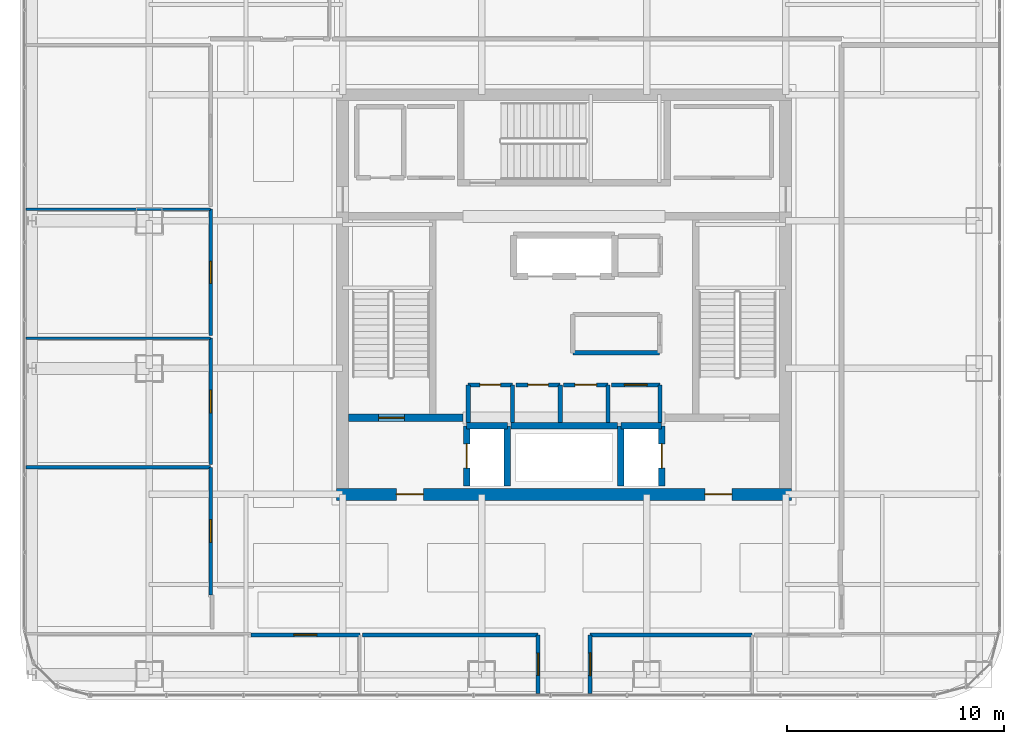
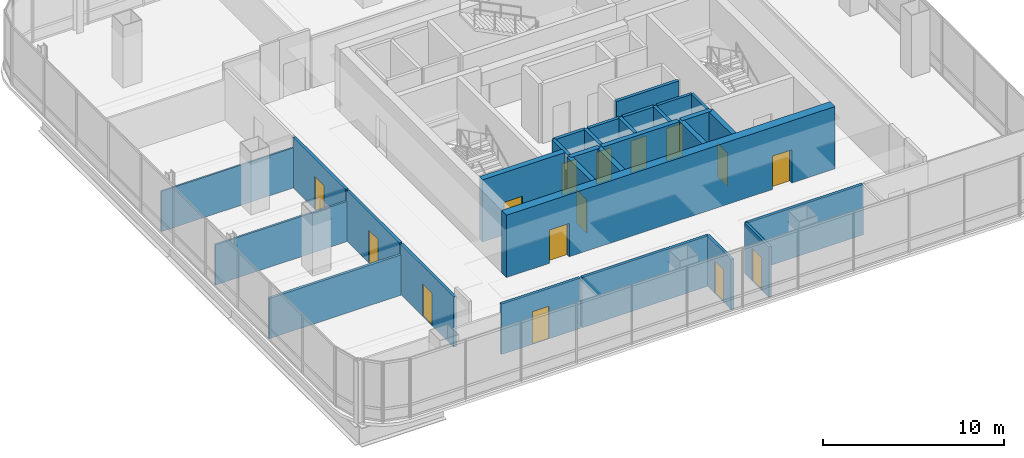
# One storey, part 34 of 42: 30 walls, 15 doors, 15 openings.
"""IFC4 building model written with IfcOpenShell, lengths in metres."""

from ifc_helpers import new_model, si_unit, direction, frame, frame_2d, origin, place, context, subcontext, project, spatial, rectangle, extrude, material, layer, layer_set, type_object, element, fill, save


model = new_model("IFC4")

# Units and contexts
model_context = context("Model", 3, precision=1e-05, world=origin(), true_north=direction((0.0, 1.0)))
body_context = subcontext(model_context, "Body", "Model", "MODEL_VIEW")
ifc_project = project(units=[si_unit("LENGTHUNIT", "METRE"), si_unit("AREAUNIT", "SQUARE_METRE"), si_unit("VOLUMEUNIT", "CUBIC_METRE"), si_unit("PLANEANGLEUNIT", "RADIAN"), si_unit("MASSUNIT", "GRAM", prefix="KILO")], contexts=[model_context])

# Site, building, storey
site_placement = place(None, origin())
site = spatial("IfcSite", under=ifc_project, at=site_placement, CompositionType="ELEMENT")
building_placement = place(site_placement, origin())
building = spatial("IfcBuilding", under=site, at=building_placement, Name="Punatoya Terracotta Tower", CompositionType="ELEMENT")
storey_placement = place(building_placement, frame((0.0, 0.0, 296.39990234375)))
storey = spatial("IfcBuildingStorey", under=building, at=storey_placement, Name="L70", CompositionType="ELEMENT", Elevation=296.39990234375)

# Wall, openings, doors
ifc_material_1 = material(Name="Concrete C50/60", Category="concrete")
ifc_layer_1 = layer(ifc_material_1, 0.550048828125)
ifc_layer_set_1 = layer_set([ifc_layer_1], Name="Concrete C50/60")
wall_type_1 = type_object("IfcWallType", Name="WL-COR-550", PredefinedType="SHEAR", material=ifc_layer_set_1)
wall_1_placement = place(storey_placement, frame((10.47509765625, -9.199951171875, 0.0), z_axis=(0.0, 0.0, 1.0), x_axis=(-1.0, 0.0, 0.0)))
wall_1 = element("IfcWall", 1, at=wall_1_placement, inside=storey, type_object=wall_type_1, Name="L70 Core Shear Wall S", PredefinedType="SHEAR", context=body_context, shape_type="SweptSolid", body=[
    extrude(rectangle(XDim=20.9501953125, YDim=0.550048828125, at=frame_2d((10.47509765625, 0.0))), origin(), (0.0, 0.0, 1.0), 4.2001953125),
])
opening_1_placement = place(wall_1_placement, frame((2.75, 0.0, 0.0)))
opening_1 = element("IfcOpeningElement", 2, at=opening_1_placement, cuts=wall_1, Name="Opening FD-L1", PredefinedType="OPENING", context=body_context, shape_type="SweptSolid", body=[
    extrude(rectangle(XDim=1.25, YDim=2.25, at=frame_2d((0.625, 1.125))), frame((0.0, 0.284912109375, 0.0), z_axis=(0.0, -1.0, 0.0), x_axis=(1.0, 0.0, 0.0)), (0.0, 0.0, 1.0), 0.570068359375),
])
opening_2_placement = place(wall_1_placement, frame((16.949951171875, 0.0, 0.0)))
opening_2 = element("IfcOpeningElement", 3, at=opening_2_placement, cuts=wall_1, Name="Opening FD-L1", PredefinedType="OPENING", context=body_context, shape_type="SweptSolid", body=[
    extrude(rectangle(XDim=1.25, YDim=2.25, at=frame_2d((0.625, 1.125))), frame((0.0, 0.284912109375, 0.0), z_axis=(0.0, -1.0, 0.0), x_axis=(1.0, 0.0, 0.0)), (0.0, 0.0, 1.0), 0.570068359375),
])
ifc_material_2 = material(Name="Galvanised Steel Smokeproof Fire Door", Category="steel")
door_type_1 = type_object("IfcDoorType", Name="DR-FFL-1250", OperationType="NOTDEFINED", PredefinedType="DOOR", material=ifc_material_2)
door_1_placement = place(opening_1_placement, origin())
door_1 = element("IfcDoor", 4, at=door_1_placement, inside=storey, type_object=door_type_1, Name="L70 East Firefighting Lobby Corridor Fire Door", OperationType="SINGLE_SWING_LEFT", OverallHeight=2.25, OverallWidth=1.25, PredefinedType="DOOR", context=body_context, shape_type="SweptSolid", body=[
    extrude(rectangle(XDim=1.25, YDim=2.25, at=frame_2d((0.625, 1.125))), frame((0.0, 0.02490234375, 0.0), z_axis=(0.0, -1.0, 0.0), x_axis=(1.0, 0.0, 0.0)), (0.0, 0.0, 1.0), 0.050048828125),
])
fill(opening_1, door_1)
door_2_placement = place(opening_2_placement, origin())
door_2 = element("IfcDoor", 5, at=door_2_placement, inside=storey, type_object=door_type_1, Name="L70 West Firefighting Lobby Corridor Fire Door", OperationType="SINGLE_SWING_RIGHT", OverallHeight=2.25, OverallWidth=1.25, PredefinedType="DOOR", context=body_context, shape_type="SweptSolid", body=[
    extrude(rectangle(XDim=1.25, YDim=2.25, at=frame_2d((0.625, 1.125))), frame((0.0, 0.02490234375, 0.0), z_axis=(0.0, -1.0, 0.0), x_axis=(1.0, 0.0, 0.0)), (0.0, 0.0, 1.0), 0.050048828125),
])
fill(opening_2, door_2)

# Wall
ifc_material_3 = material(Name="Gypsum Fireboard + Steel Stud", Category="steel")
ifc_layer_2 = layer(ifc_material_3, 0.179931640625)
ifc_layer_set_2 = layer_set([ifc_layer_2], Name="Gypsum Fireboard + Steel Stud")
wall_type_2 = type_object("IfcWallType", Name="WL-CORR-180", PredefinedType="PARTITIONING", material=ifc_layer_set_2)
wall_2_placement = place(storey_placement, frame((4.419921875, -5.89990234375, 0.0), z_axis=(0.0, 0.0, 1.0), x_axis=(0.0, 1.0, 0.0)))
element("IfcWall", 6, at=wall_2_placement, inside=storey, type_object=wall_type_2, Name="L70 Core Reprographics Studio Partition 08", PredefinedType="PARTITIONING", context=body_context, shape_type="SweptSolid", body=[
    extrude(rectangle(XDim=1.739990234375, YDim=0.179931640625, at=frame_2d((0.8701171875, 0.0))), origin(), (0.0, 0.0, 1.0), 4.0),
])

# Wall, opening, door
wall_3_placement = place(storey_placement, frame((4.419921875, -4.159912109375, 0.0), z_axis=(0.0, 0.0, 1.0), x_axis=(-1.0, 0.0, 0.0)))
wall_3 = element("IfcWall", 7, at=wall_3_placement, inside=storey, type_object=wall_type_2, Name="L70 Core Reprographics Studio Partition 09", PredefinedType="PARTITIONING", context=body_context, shape_type="SweptSolid", body=[
    extrude(rectangle(XDim=2.239990234375, YDim=0.179931640625, at=frame_2d((1.1201171875, 0.0))), origin(), (0.0, 0.0, 1.0), 4.0),
])
opening_3_placement = place(wall_3_placement, frame((0.594970703125, 0.0, 0.0)))
opening_3 = element("IfcOpeningElement", 8, at=opening_3_placement, cuts=wall_3, Name="Opening OD-01", PredefinedType="OPENING", context=body_context, shape_type="SweptSolid", body=[
    extrude(rectangle(XDim=1.050048828125, YDim=2.199951171875, at=frame_2d((0.52490234375, 1.10009765625))), frame((0.0, 0.099853515625, 0.0), z_axis=(0.0, -1.0, 0.0), x_axis=(1.0, 0.0, 0.0)), (0.0, 0.0, 1.0), 0.199951171875),
])
ifc_material_4 = material(Name="Bengal Teak Solid-Core Leaf")
door_type_2 = type_object("IfcDoorType", Name="DR-OFF-1050", OperationType="NOTDEFINED", PredefinedType="DOOR", material=ifc_material_4)
door_3_placement = place(opening_3_placement, origin())
door_3 = element("IfcDoor", 9, at=door_3_placement, inside=storey, type_object=door_type_2, Name="L70 Reprographics Studio Door", OperationType="SINGLE_SWING_LEFT", OverallHeight=2.199951171875, OverallWidth=1.050048828125, PredefinedType="DOOR", context=body_context, shape_type="SweptSolid", body=[
    extrude(rectangle(XDim=1.050048828125, YDim=2.199951171875, at=frame_2d((0.52490234375, 1.10009765625))), frame((0.0, 0.02490234375, 0.0), z_axis=(0.0, -1.0, 0.0), x_axis=(1.0, 0.0, 0.0)), (0.0, 0.0, 1.0), 0.050048828125),
])
fill(opening_3, door_3)

wall_4_placement = place(storey_placement, frame((-14.419921875, -15.669921875, 0.0), z_axis=(0.0, 0.0, 1.0), x_axis=(1.0, 0.0, 0.0)))
wall_4 = element("IfcWall", 10, at=wall_4_placement, inside=storey, type_object=wall_type_2, Name="L70 Open-Plan Client Media Salon Partition 27", PredefinedType="PARTITIONING", context=body_context, shape_type="SweptSolid", body=[
    extrude(rectangle(XDim=5.014892578125, YDim=0.179931640625, at=frame_2d((2.50732421875, 0.0))), origin(), (0.0, 0.0, 1.0), 3.39404296875),
])
opening_4_placement = place(wall_4_placement, frame((1.982421875, 0.0, 0.0)))
opening_4 = element("IfcOpeningElement", 11, at=opening_4_placement, cuts=wall_4, Name="Opening OD-01", PredefinedType="OPENING", context=body_context, shape_type="SweptSolid", body=[
    extrude(rectangle(XDim=1.050048828125, YDim=2.199951171875, at=frame_2d((0.52490234375, 1.10009765625))), frame((0.0, 0.099853515625, 0.0), z_axis=(0.0, -1.0, 0.0), x_axis=(1.0, 0.0, 0.0)), (0.0, 0.0, 1.0), 0.199951171875),
])
door_4_placement = place(opening_4_placement, origin())
door_4 = element("IfcDoor", 12, at=door_4_placement, inside=storey, type_object=door_type_2, Name="L70 Open-Plan Client Media Salon Door", OperationType="SINGLE_SWING_LEFT", OverallHeight=2.199951171875, OverallWidth=1.050048828125, PredefinedType="DOOR", context=body_context, shape_type="SweptSolid", body=[
    extrude(rectangle(XDim=1.050048828125, YDim=2.199951171875, at=frame_2d((0.52490234375, 1.10009765625))), frame((0.0, 0.02490234375, 0.0), z_axis=(0.0, -1.0, 0.0), x_axis=(1.0, 0.0, 0.0)), (0.0, 0.0, 1.0), 0.050048828125),
])
fill(opening_4, door_4)

wall_5_placement = place(storey_placement, frame((-1.199951171875, -15.669921875, 0.0), z_axis=(0.0, 0.0, 1.0), x_axis=(0.0, -1.0, 0.0)))
wall_5 = element("IfcWall", 13, at=wall_5_placement, inside=storey, type_object=wall_type_2, Name="L70 Open-Plan Media Broadcast Studio Partition 29", PredefinedType="PARTITIONING", context=body_context, shape_type="SweptSolid", body=[
    extrude(rectangle(XDim=2.7001953125, YDim=0.179931640625, at=frame_2d((1.35009765625, 0.0))), origin(), (0.0, 0.0, 1.0), 3.39404296875),
])
opening_5_placement = place(wall_5_placement, frame((0.840087890625, 0.0, 0.0)))
opening_5 = element("IfcOpeningElement", 14, at=opening_5_placement, cuts=wall_5, Name="Opening MD-01", PredefinedType="OPENING", context=body_context, shape_type="SweptSolid", body=[
    extrude(rectangle(XDim=1.02001953125, YDim=2.199951171875, at=frame_2d((0.510009765625, 1.10009765625))), frame((0.0, 0.099853515625, 0.0), z_axis=(0.0, -1.0, 0.0), x_axis=(1.0, 0.0, 0.0)), (0.0, 0.0, 1.0), 0.199951171875),
])
ifc_material_5 = material(Name="Aluminium + Acoustic Glass Leaf", Category="aluminium")
door_type_3 = type_object("IfcDoorType", Name="DR-MTG-1020", OperationType="NOTDEFINED", PredefinedType="DOOR", material=ifc_material_5)
door_5_placement = place(opening_5_placement, origin())
door_5 = element("IfcDoor", 15, at=door_5_placement, inside=storey, type_object=door_type_3, Name="L70 Open-Plan Media Broadcast Studio Door", OperationType="SINGLE_SWING_RIGHT", OverallHeight=2.199951171875, OverallWidth=1.02001953125, PredefinedType="DOOR", context=body_context, shape_type="SweptSolid", body=[
    extrude(rectangle(XDim=1.02001953125, YDim=2.199951171875, at=frame_2d((0.510009765625, 1.10009765625))), frame((0.0, 0.02490234375, 0.0), z_axis=(0.0, -1.0, 0.0), x_axis=(1.0, 0.0, 0.0)), (0.0, 0.0, 1.0), 0.050048828125),
])
fill(opening_5, door_5)

# Wall
wall_6_placement = place(storey_placement, frame((-9.284912109375, -15.669921875, 0.0), z_axis=(0.0, 0.0, 1.0), x_axis=(1.0, 0.0, 0.0)))
element("IfcWall", 16, at=wall_6_placement, inside=storey, type_object=wall_type_2, Name="L70 Open-Plan Media Broadcast Studio Partition 30", PredefinedType="PARTITIONING", context=body_context, shape_type="SweptSolid", body=[
    extrude(rectangle(XDim=8.0849609375, YDim=0.179931640625, at=frame_2d((4.04248046875, 0.0))), origin(), (0.0, 0.0, 1.0), 3.39404296875),
])

# Wall, opening, door
wall_7_placement = place(storey_placement, frame((1.199951171875, -18.3701171875, 0.0), z_axis=(0.0, 0.0, 1.0), x_axis=(0.0, 1.0, 0.0)))
wall_7 = element("IfcWall", 17, at=wall_7_placement, inside=storey, type_object=wall_type_2, Name="L70 Open-Plan Graphic Design Workplace Partition 31", PredefinedType="PARTITIONING", context=body_context, shape_type="SweptSolid", body=[
    extrude(rectangle(XDim=2.7001953125, YDim=0.179931640625, at=frame_2d((1.35009765625, 0.0))), origin(), (0.0, 0.0, 1.0), 3.39404296875),
])
opening_6_placement = place(wall_7_placement, frame((0.824951171875, 0.0, 0.0)))
opening_6 = element("IfcOpeningElement", 18, at=opening_6_placement, cuts=wall_7, Name="Opening OD-01", PredefinedType="OPENING", context=body_context, shape_type="SweptSolid", body=[
    extrude(rectangle(XDim=1.050048828125, YDim=2.199951171875, at=frame_2d((0.52490234375, 1.10009765625))), frame((0.0, 0.099853515625, 0.0), z_axis=(0.0, -1.0, 0.0), x_axis=(1.0, 0.0, 0.0)), (0.0, 0.0, 1.0), 0.199951171875),
])
door_6_placement = place(opening_6_placement, origin())
door_6 = element("IfcDoor", 19, at=door_6_placement, inside=storey, type_object=door_type_2, Name="L70 Open-Plan Graphic Design Workplace Door", OperationType="SINGLE_SWING_LEFT", OverallHeight=2.199951171875, OverallWidth=1.050048828125, PredefinedType="DOOR", context=body_context, shape_type="SweptSolid", body=[
    extrude(rectangle(XDim=1.050048828125, YDim=2.199951171875, at=frame_2d((0.52490234375, 1.10009765625))), frame((0.0, 0.02490234375, 0.0), z_axis=(0.0, -1.0, 0.0), x_axis=(1.0, 0.0, 0.0)), (0.0, 0.0, 1.0), 0.050048828125),
])
fill(opening_6, door_6)

# Wall
wall_8_placement = place(storey_placement, frame((1.199951171875, -15.669921875, 0.0), z_axis=(0.0, 0.0, 1.0), x_axis=(1.0, 0.0, 0.0)))
element("IfcWall", 20, at=wall_8_placement, inside=storey, type_object=wall_type_2, Name="L70 Open-Plan Graphic Design Workplace Partition 32", PredefinedType="PARTITIONING", context=body_context, shape_type="SweptSolid", body=[
    extrude(rectangle(XDim=7.4521484375, YDim=0.179931640625, at=frame_2d((3.72607421875, 0.0))), origin(), (0.0, 0.0, 1.0), 3.39404296875),
])

# Wall, opening, door
wall_9_placement = place(storey_placement, frame((-16.27001953125, -7.949951171875, 0.0), z_axis=(0.0, 0.0, 1.0), x_axis=(0.0, -1.0, 0.0)))
wall_9 = element("IfcWall", 21, at=wall_9_placement, inside=storey, type_object=wall_type_2, Name="L70 Hospitality Tea Pantry Partition 37", PredefinedType="PARTITIONING", context=body_context, shape_type="SweptSolid", body=[
    extrude(rectangle(XDim=5.8701171875, YDim=0.179931640625, at=frame_2d((2.93505859375, 0.0))), origin(), (0.0, 0.0, 1.0), 3.39404296875),
])
opening_7_placement = place(wall_9_placement, frame((2.409912109375, 0.0, 0.0)))
opening_7 = element("IfcOpeningElement", 22, at=opening_7_placement, cuts=wall_9, Name="Opening OD-01", PredefinedType="OPENING", context=body_context, shape_type="SweptSolid", body=[
    extrude(rectangle(XDim=1.050048828125, YDim=2.199951171875, at=frame_2d((0.52490234375, 1.10009765625))), frame((0.0, 0.099853515625, 0.0), z_axis=(0.0, -1.0, 0.0), x_axis=(1.0, 0.0, 0.0)), (0.0, 0.0, 1.0), 0.199951171875),
])
door_7_placement = place(opening_7_placement, origin())
door_7 = element("IfcDoor", 23, at=door_7_placement, inside=storey, type_object=door_type_2, Name="L70 Hospitality Tea Pantry Door", OperationType="SINGLE_SWING_LEFT", OverallHeight=2.199951171875, OverallWidth=1.050048828125, PredefinedType="DOOR", context=body_context, shape_type="SweptSolid", body=[
    extrude(rectangle(XDim=1.050048828125, YDim=2.199951171875, at=frame_2d((0.52490234375, 1.10009765625))), frame((0.0, 0.02490234375, 0.0), z_axis=(0.0, -1.0, 0.0), x_axis=(1.0, 0.0, 0.0)), (0.0, 0.0, 1.0), 0.050048828125),
])
fill(opening_7, door_7)

wall_10_placement = place(storey_placement, frame((-16.27001953125, -2.010009765625, 0.0), z_axis=(0.0, 0.0, 1.0), x_axis=(0.0, -1.0, 0.0)))
wall_10 = element("IfcWall", 24, at=wall_10_placement, inside=storey, type_object=wall_type_2, Name="L70 Open-Plan Acoustic Wellness Room Partition 40", PredefinedType="PARTITIONING", context=body_context, shape_type="SweptSolid", body=[
    extrude(rectangle(XDim=5.820068359375, YDim=0.179931640625, at=frame_2d((2.91015625, 0.0))), origin(), (0.0, 0.0, 1.0), 3.39404296875),
])
opening_8_placement = place(wall_10_placement, frame((2.385009765625, 0.0, 0.0)))
opening_8 = element("IfcOpeningElement", 25, at=opening_8_placement, cuts=wall_10, Name="Opening OD-01", PredefinedType="OPENING", context=body_context, shape_type="SweptSolid", body=[
    extrude(rectangle(XDim=1.050048828125, YDim=2.199951171875, at=frame_2d((0.52490234375, 1.10009765625))), frame((0.0, 0.099853515625, 0.0), z_axis=(0.0, -1.0, 0.0), x_axis=(1.0, 0.0, 0.0)), (0.0, 0.0, 1.0), 0.199951171875),
])
door_8_placement = place(opening_8_placement, origin())
door_8 = element("IfcDoor", 26, at=door_8_placement, inside=storey, type_object=door_type_2, Name="L70 Open-Plan Acoustic Wellness Room Door", OperationType="SINGLE_SWING_RIGHT", OverallHeight=2.199951171875, OverallWidth=1.050048828125, PredefinedType="DOOR", context=body_context, shape_type="SweptSolid", body=[
    extrude(rectangle(XDim=1.050048828125, YDim=2.199951171875, at=frame_2d((0.52490234375, 1.10009765625))), frame((0.0, 0.02490234375, 0.0), z_axis=(0.0, -1.0, 0.0), x_axis=(1.0, 0.0, 0.0)), (0.0, 0.0, 1.0), 0.050048828125),
])
fill(opening_8, door_8)

wall_11_placement = place(storey_placement, frame((-16.27001953125, 3.929931640625, 0.0), z_axis=(0.0, 0.0, 1.0), x_axis=(0.0, -1.0, 0.0)))
wall_11 = element("IfcWall", 27, at=wall_11_placement, inside=storey, type_object=wall_type_2, Name="L70 Open-Plan Editorial Conference Room Partition 46", PredefinedType="PARTITIONING", context=body_context, shape_type="SweptSolid", body=[
    extrude(rectangle(XDim=5.81982421875, YDim=0.179931640625, at=frame_2d((2.909912109375, 0.0))), origin(), (0.0, 0.0, 1.0), 3.39404296875),
])
opening_9_placement = place(wall_11_placement, frame((2.39990234375, 0.0, 0.0)))
opening_9 = element("IfcOpeningElement", 28, at=opening_9_placement, cuts=wall_11, Name="Opening MD-01", PredefinedType="OPENING", context=body_context, shape_type="SweptSolid", body=[
    extrude(rectangle(XDim=1.02001953125, YDim=2.199951171875, at=frame_2d((0.510009765625, 1.10009765625))), frame((0.0, 0.099853515625, 0.0), z_axis=(0.0, -1.0, 0.0), x_axis=(1.0, 0.0, 0.0)), (0.0, 0.0, 1.0), 0.199951171875),
])
door_9_placement = place(opening_9_placement, origin())
door_9 = element("IfcDoor", 29, at=door_9_placement, inside=storey, type_object=door_type_3, Name="L70 Open-Plan Editorial Conference Room Door", OperationType="SINGLE_SWING_RIGHT", OverallHeight=2.199951171875, OverallWidth=1.02001953125, PredefinedType="DOOR", context=body_context, shape_type="SweptSolid", body=[
    extrude(rectangle(XDim=1.02001953125, YDim=2.199951171875, at=frame_2d((0.510009765625, 1.10009765625))), frame((0.0, 0.02490234375, 0.0), z_axis=(0.0, -1.0, 0.0), x_axis=(1.0, 0.0, 0.0)), (0.0, 0.0, 1.0), 0.050048828125),
])
fill(opening_9, door_9)

# Walls
ifc_material_6 = material(Name="Aluminium Framed Acoustic Glass Partition", Category="aluminium")
ifc_layer_3 = layer(ifc_material_6, 0.10009765625)
ifc_layer_set_3 = layer_set([ifc_layer_3], Name="Aluminium Framed Acoustic Glass Partition")
wall_type_3 = type_object("IfcWallType", Name="WL-GLZ-100", PredefinedType="PARTITIONING", material=ifc_layer_set_3)
wall_12_placement = place(storey_placement, frame((-24.77001953125, 3.929931640625, 0.0), z_axis=(0.0, 0.0, 1.0), x_axis=(1.0, 0.0, 0.0)))
element("IfcWall", 30, at=wall_12_placement, inside=storey, type_object=wall_type_3, Name="L70 Open-Plan Editorial Conference Room Partition 45", PredefinedType="PARTITIONING", context=body_context, shape_type="SweptSolid", body=[
    extrude(rectangle(XDim=8.5, YDim=0.10009765625, at=frame_2d((4.25, 0.0))), origin(), (0.0, 0.0, 1.0), 2.714111328125),
])
ifc_material_7 = material(Name="Concrete C40/50", Category="concrete")
ifc_layer_4 = layer(ifc_material_7, 0.199951171875)
ifc_layer_set_4 = layer_set([ifc_layer_4], Name="Concrete C40/50")
wall_type_4 = type_object("IfcWallType", Name="WL-INT-200", PredefinedType="SOLIDWALL", material=ifc_layer_set_4)
wall_13_placement = place(storey_placement, frame((-2.3798828125, -5.89990234375, 0.0), z_axis=(0.0, 0.0, 1.0), x_axis=(0.0, 1.0, 0.0)))
element("IfcWall", 31, at=wall_13_placement, inside=storey, type_object=wall_type_4, Name="L70 Male Washroom Partition 01", PredefinedType="SOLIDWALL", context=body_context, shape_type="SweptSolid", body=[
    extrude(rectangle(XDim=1.739990234375, YDim=0.199951171875, at=frame_2d((0.8701171875, 0.0))), origin(), (0.0, 0.0, 1.0), 4.0),
])

# Wall, opening, door
wall_14_placement = place(storey_placement, frame((-2.3798828125, -4.159912109375, 0.0), z_axis=(0.0, 0.0, 1.0), x_axis=(-1.0, 0.0, 0.0)))
wall_14 = element("IfcWall", 32, at=wall_14_placement, inside=storey, type_object=wall_type_4, Name="L70 Male Washroom Partition 02", PredefinedType="SOLIDWALL", context=body_context, shape_type="SweptSolid", body=[
    extrude(rectangle(XDim=2.0400390625, YDim=0.199951171875, at=frame_2d((1.02001953125, 0.0))), origin(), (0.0, 0.0, 1.0), 4.0),
])
opening_10_placement = place(wall_14_placement, frame((0.544921875, 0.0, 0.0)))
opening_10 = element("IfcOpeningElement", 33, at=opening_10_placement, cuts=wall_14, Name="Opening WD-01", PredefinedType="OPENING", context=body_context, shape_type="SweptSolid", body=[
    extrude(rectangle(XDim=0.949951171875, YDim=2.14990234375, at=frame_2d((0.47509765625, 1.074951171875))), frame((0.0, 0.10986328125, 0.0), z_axis=(0.0, -1.0, 0.0), x_axis=(1.0, 0.0, 0.0)), (0.0, 0.0, 1.0), 0.219970703125),
])
ifc_material_8 = material(Name="Moisture-Resistant Laminate Timber Leaf", Category="wood")
door_type_4 = type_object("IfcDoorType", Name="DR-WC-950", OperationType="NOTDEFINED", PredefinedType="DOOR", material=ifc_material_8)
door_10_placement = place(opening_10_placement, origin())
door_10 = element("IfcDoor", 34, at=door_10_placement, inside=storey, type_object=door_type_4, Name="L70 Male Washroom Door", OperationType="SINGLE_SWING_RIGHT", OverallHeight=2.14990234375, OverallWidth=0.949951171875, PredefinedType="DOOR", context=body_context, shape_type="SweptSolid", body=[
    extrude(rectangle(XDim=0.949951171875, YDim=2.14990234375, at=frame_2d((0.47509765625, 1.074951171875))), frame((0.0, 0.02490234375, 0.0), z_axis=(0.0, -1.0, 0.0), x_axis=(1.0, 0.0, 0.0)), (0.0, 0.0, 1.0), 0.050048828125),
])
fill(opening_10, door_10)

# Walls
for number, where, z_axis, x_axis, name in (
    (35, (-4.419921875, -4.159912109375, 0.0), (0.0, 0.0, 1.0), (0.0, -1.0, 0.0), "L70 Male Washroom Partition 03"),
    (36, (-0.179931640625, -5.89990234375, 0.0), (0.0, 0.0, 1.0), (0.0, 1.0, 0.0), "L70 Female Washroom Partition 04"),
):
    element("IfcWall", number, at=place(storey_placement, frame(where, z_axis=z_axis, x_axis=x_axis)), inside=storey, type_object=wall_type_4, Name=name, PredefinedType="SOLIDWALL", context=body_context, shape_type="SweptSolid", body=[
        extrude(rectangle(XDim=1.739990234375, YDim=0.199951171875, at=frame_2d((0.8701171875, 0.0))), origin(), (0.0, 0.0, 1.0), 4.0),
    ])

# Wall, opening, door
wall_15_placement = place(storey_placement, frame((-0.179931640625, -4.159912109375, 0.0), z_axis=(0.0, 0.0, 1.0), x_axis=(-1.0, 0.0, 0.0)))
wall_15 = element("IfcWall", 37, at=wall_15_placement, inside=storey, type_object=wall_type_4, Name="L70 Female Washroom Partition 05", PredefinedType="SOLIDWALL", context=body_context, shape_type="SweptSolid", body=[
    extrude(rectangle(XDim=2.0400390625, YDim=0.199951171875, at=frame_2d((1.02001953125, 0.0))), origin(), (0.0, 0.0, 1.0), 4.0),
])
opening_11_placement = place(wall_15_placement, frame((0.544921875, 0.0, 0.0)))
opening_11 = element("IfcOpeningElement", 38, at=opening_11_placement, cuts=wall_15, Name="Opening WD-01", PredefinedType="OPENING", context=body_context, shape_type="SweptSolid", body=[
    extrude(rectangle(XDim=0.949951171875, YDim=2.14990234375, at=frame_2d((0.47509765625, 1.074951171875))), frame((0.0, 0.10986328125, 0.0), z_axis=(0.0, -1.0, 0.0), x_axis=(1.0, 0.0, 0.0)), (0.0, 0.0, 1.0), 0.219970703125),
])
door_11_placement = place(opening_11_placement, origin())
door_11 = element("IfcDoor", 39, at=door_11_placement, inside=storey, type_object=door_type_4, Name="L70 Female Washroom Door", OperationType="SINGLE_SWING_LEFT", OverallHeight=2.14990234375, OverallWidth=0.949951171875, PredefinedType="DOOR", context=body_context, shape_type="SweptSolid", body=[
    extrude(rectangle(XDim=0.949951171875, YDim=2.14990234375, at=frame_2d((0.47509765625, 1.074951171875))), frame((0.0, 0.02490234375, 0.0), z_axis=(0.0, -1.0, 0.0), x_axis=(1.0, 0.0, 0.0)), (0.0, 0.0, 1.0), 0.050048828125),
])
fill(opening_11, door_11)

# Wall
wall_16_placement = place(storey_placement, frame((2.02001953125, -5.89990234375, 0.0), z_axis=(0.0, 0.0, 1.0), x_axis=(0.0, 1.0, 0.0)))
element("IfcWall", 40, at=wall_16_placement, inside=storey, type_object=wall_type_4, Name="L70 Accessible Universal Washroom Partition 06", PredefinedType="SOLIDWALL", context=body_context, shape_type="SweptSolid", body=[
    extrude(rectangle(XDim=1.739990234375, YDim=0.199951171875, at=frame_2d((0.8701171875, 0.0))), origin(), (0.0, 0.0, 1.0), 4.0),
])

# Wall, opening, door
wall_17_placement = place(storey_placement, frame((2.02001953125, -4.159912109375, 0.0), z_axis=(0.0, 0.0, 1.0), x_axis=(-1.0, 0.0, 0.0)))
wall_17 = element("IfcWall", 41, at=wall_17_placement, inside=storey, type_object=wall_type_4, Name="L70 Accessible Universal Washroom Partition 07", PredefinedType="SOLIDWALL", context=body_context, shape_type="SweptSolid", body=[
    extrude(rectangle(XDim=2.0400390625, YDim=0.199951171875, at=frame_2d((1.02001953125, 0.0))), origin(), (0.0, 0.0, 1.0), 4.0),
])
opening_12_placement = place(wall_17_placement, frame((0.52001953125, 0.0, 0.0)))
opening_12 = element("IfcOpeningElement", 42, at=opening_12_placement, cuts=wall_17, Name="Opening AWD-1", PredefinedType="OPENING", context=body_context, shape_type="SweptSolid", body=[
    extrude(rectangle(XDim=1.0, YDim=2.14990234375, at=frame_2d((0.5, 1.074951171875))), frame((0.0, 0.10986328125, 0.0), z_axis=(0.0, -1.0, 0.0), x_axis=(1.0, 0.0, 0.0)), (0.0, 0.0, 1.0), 0.219970703125),
])
ifc_material_9 = material(Name="Bengal Teak Accessible WC Leaf")
door_type_5 = type_object("IfcDoorType", Name="DR-ACC-1000", OperationType="NOTDEFINED", PredefinedType="DOOR", material=ifc_material_9)
door_12_placement = place(opening_12_placement, origin())
door_12 = element("IfcDoor", 43, at=door_12_placement, inside=storey, type_object=door_type_5, Name="L70 Accessible Universal Washroom Door", OperationType="SINGLE_SWING_RIGHT", OverallHeight=2.14990234375, OverallWidth=1.0, PredefinedType="DOOR", context=body_context, shape_type="SweptSolid", body=[
    extrude(rectangle(XDim=1.0, YDim=2.14990234375, at=frame_2d((0.5, 1.074951171875))), frame((0.0, 0.02490234375, 0.0), z_axis=(0.0, -1.0, 0.0), x_axis=(1.0, 0.0, 0.0)), (0.0, 0.0, 1.0), 0.050048828125),
])
fill(opening_12, door_12)

# Walls
wall_18_placement = place(storey_placement, frame((0.39990234375, -2.679931640625, 0.0), z_axis=(0.0, 0.0, 1.0), x_axis=(1.0, 0.0, 0.0)))
element("IfcWall", 44, at=wall_18_placement, inside=storey, type_object=wall_type_4, Name="L70 East Core Tea Pantry Partition 13", PredefinedType="SOLIDWALL", context=body_context, shape_type="SweptSolid", body=[
    extrude(rectangle(XDim=4.0, YDim=0.199951171875, at=frame_2d((2.0, 0.0))), origin(), (0.0, 0.0, 1.0), 4.0),
])
ifc_material_10 = material(Name="Gypsum Partition + Steel Stud", Category="steel")
ifc_layer_5 = layer(ifc_material_10, 0.1201171875)
ifc_layer_set_5 = layer_set([ifc_layer_5], Name="Gypsum Partition + Steel Stud")
wall_type_5 = type_object("IfcWallType", Name="WL-OFF-120", PredefinedType="PARTITIONING", material=ifc_layer_set_5)
wall_19_placement = place(storey_placement, frame((-24.77001953125, -2.010009765625, 0.0), z_axis=(0.0, 0.0, 1.0), x_axis=(1.0, 0.0, 0.0)))
element("IfcWall", 45, at=wall_19_placement, inside=storey, type_object=wall_type_5, Name="L70 Open-Plan Acoustic Wellness Room Partition 39", PredefinedType="PARTITIONING", context=body_context, shape_type="SweptSolid", body=[
    extrude(rectangle(XDim=8.5, YDim=0.1201171875, at=frame_2d((4.25, 0.0))), origin(), (0.0, 0.0, 1.0), 2.714111328125),
])

# Wall, opening, door
ifc_layer_6 = layer(ifc_material_7, 0.300048828125)
ifc_layer_set_6 = layer_set([ifc_layer_6], Name="Concrete C40/50")
wall_type_6 = type_object("IfcWallType", Name="WL-SHF-300", PredefinedType="SOLIDWALL", material=ifc_layer_set_6)
wall_20_placement = place(storey_placement, frame((-4.489990234375, -8.820068359375, 0.0), z_axis=(0.0, 0.0, 1.0), x_axis=(0.0, 1.0, 0.0)))
wall_20 = element("IfcWall", 46, at=wall_20_placement, inside=storey, type_object=wall_type_6, Name="L70 FFL-1 Front Hoistway Wall", PredefinedType="SOLIDWALL", context=body_context, shape_type="SweptSolid", body=[
    extrude(rectangle(XDim=2.77001953125, YDim=0.300048828125, at=frame_2d((1.385009765625, 0.0))), origin(), (0.0, 0.0, 1.0), 4.0),
])
opening_13_placement = place(wall_20_placement, frame((0.824951171875, 0.0, 0.0)))
opening_13 = element("IfcOpeningElement", 47, at=opening_13_placement, cuts=wall_20, Name="Opening LD-02", PredefinedType="OPENING", context=body_context, shape_type="SweptSolid", body=[
    extrude(rectangle(XDim=1.1201171875, YDim=2.25, at=frame_2d((0.56005859375, 1.125))), frame((0.0, 0.159912109375, 0.0), z_axis=(0.0, -1.0, 0.0), x_axis=(1.0, 0.0, 0.0)), (0.0, 0.0, 1.0), 0.320068359375),
])
ifc_material_11 = material(Name="Stainless Steel Lift Landing Door", Category="steel")
door_type_6 = type_object("IfcDoorType", Name="DR-LND-1120", OperationType="NOTDEFINED", PredefinedType="DOOR", material=ifc_material_11)
door_13_placement = place(opening_13_placement, origin())
door_13 = element("IfcDoor", 48, at=door_13_placement, inside=storey, type_object=door_type_6, Name="L70 Firefighting Lift FFL-1 Sliding Landing Door", OperationType="SLIDING_TO_LEFT", OverallHeight=2.25, OverallWidth=1.1201171875, PredefinedType="DOOR", context=body_context, shape_type="SweptSolid", body=[
    extrude(rectangle(XDim=1.1201171875, YDim=2.25, at=frame_2d((0.56005859375, 1.125))), frame((0.0, 0.02490234375, 0.0), z_axis=(0.0, -1.0, 0.0), x_axis=(1.0, 0.0, 0.0)), (0.0, 0.0, 1.0), 0.050048828125),
])
fill(opening_13, door_13)

# Walls
wall_21_placement = place(storey_placement, frame((-2.610107421875, -8.820068359375, 0.0), z_axis=(0.0, 0.0, 1.0), x_axis=(0.0, 1.0, 0.0)))
element("IfcWall", 49, at=wall_21_placement, inside=storey, type_object=wall_type_6, Name="L70 FFL-1 Rear Hoistway Wall", PredefinedType="SOLIDWALL", context=body_context, shape_type="SweptSolid", body=[
    extrude(rectangle(XDim=2.77001953125, YDim=0.300048828125, at=frame_2d((1.385009765625, 0.0))), origin(), (0.0, 0.0, 1.0), 4.0),
])
wall_22_placement = place(storey_placement, frame((-4.489990234375, -6.050048828125, 0.0), z_axis=(0.0, 0.0, 1.0), x_axis=(1.0, 0.0, 0.0)))
element("IfcWall", 50, at=wall_22_placement, inside=storey, type_object=wall_type_6, Name="L70 FFL-1 North Hoistway Wall", PredefinedType="SOLIDWALL", context=body_context, shape_type="SweptSolid", body=[
    extrude(rectangle(XDim=1.8798828125, YDim=0.300048828125, at=frame_2d((0.93994140625, 0.0))), origin(), (0.0, 0.0, 1.0), 4.0),
])

# Wall, opening, door
wall_23_placement = place(storey_placement, frame((4.489990234375, -8.820068359375, 0.0), z_axis=(0.0, 0.0, 1.0), x_axis=(0.0, 1.0, 0.0)))
wall_23 = element("IfcWall", 51, at=wall_23_placement, inside=storey, type_object=wall_type_6, Name="L70 FFL-2 Front Hoistway Wall", PredefinedType="SOLIDWALL", context=body_context, shape_type="SweptSolid", body=[
    extrude(rectangle(XDim=2.77001953125, YDim=0.300048828125, at=frame_2d((1.385009765625, 0.0))), origin(), (0.0, 0.0, 1.0), 4.0),
])
opening_14_placement = place(wall_23_placement, frame((0.824951171875, 0.0, 0.0)))
opening_14 = element("IfcOpeningElement", 52, at=opening_14_placement, cuts=wall_23, Name="Opening LD-02", PredefinedType="OPENING", context=body_context, shape_type="SweptSolid", body=[
    extrude(rectangle(XDim=1.1201171875, YDim=2.25, at=frame_2d((0.56005859375, 1.125))), frame((0.0, 0.159912109375, 0.0), z_axis=(0.0, -1.0, 0.0), x_axis=(1.0, 0.0, 0.0)), (0.0, 0.0, 1.0), 0.320068359375),
])
door_14_placement = place(opening_14_placement, origin())
door_14 = element("IfcDoor", 53, at=door_14_placement, inside=storey, type_object=door_type_6, Name="L70 Firefighting Lift FFL-2 Sliding Landing Door", OperationType="SLIDING_TO_RIGHT", OverallHeight=2.25, OverallWidth=1.1201171875, PredefinedType="DOOR", context=body_context, shape_type="SweptSolid", body=[
    extrude(rectangle(XDim=1.1201171875, YDim=2.25, at=frame_2d((0.56005859375, 1.125))), frame((0.0, 0.02490234375, 0.0), z_axis=(0.0, -1.0, 0.0), x_axis=(1.0, 0.0, 0.0)), (0.0, 0.0, 1.0), 0.050048828125),
])
fill(opening_14, door_14)

# Walls
wall_24_placement = place(storey_placement, frame((2.610107421875, -8.820068359375, 0.0), z_axis=(0.0, 0.0, 1.0), x_axis=(0.0, 1.0, 0.0)))
element("IfcWall", 54, at=wall_24_placement, inside=storey, type_object=wall_type_6, Name="L70 FFL-2 Rear Hoistway Wall", PredefinedType="SOLIDWALL", context=body_context, shape_type="SweptSolid", body=[
    extrude(rectangle(XDim=2.77001953125, YDim=0.300048828125, at=frame_2d((1.385009765625, 0.0))), origin(), (0.0, 0.0, 1.0), 4.0),
])
wall_25_placement = place(storey_placement, frame((2.610107421875, -6.050048828125, 0.0), z_axis=(0.0, 0.0, 1.0), x_axis=(1.0, 0.0, 0.0)))
element("IfcWall", 55, at=wall_25_placement, inside=storey, type_object=wall_type_6, Name="L70 FFL-2 North Hoistway Wall", PredefinedType="SOLIDWALL", context=body_context, shape_type="SweptSolid", body=[
    extrude(rectangle(XDim=1.8798828125, YDim=0.300048828125, at=frame_2d((0.93994140625, 0.0))), origin(), (0.0, 0.0, 1.0), 4.0),
])
wall_26_placement = place(storey_placement, frame((-2.449951171875, -6.050048828125, 0.0), z_axis=(0.0, 0.0, 1.0), x_axis=(1.0, 0.0, 0.0)))
element("IfcWall", 56, at=wall_26_placement, inside=storey, type_object=wall_type_6, Name="L70 Observation Shuttle Rear Hoistway Wall", PredefinedType="SOLIDWALL", context=body_context, shape_type="SweptSolid", body=[
    extrude(rectangle(XDim=4.89990234375, YDim=0.300048828125, at=frame_2d((2.449951171875, 0.0))), origin(), (0.0, 0.0, 1.0), 4.0),
])

# Wall, opening, door
ifc_layer_7 = layer(ifc_material_1, 0.35009765625)
ifc_layer_set_7 = layer_set([ifc_layer_7], Name="Concrete C50/60")
wall_type_7 = type_object("IfcWallType", Name="WL-SHF-350", PredefinedType="SOLIDWALL", material=ifc_layer_set_7)
wall_27_placement = place(storey_placement, frame((-9.925048828125, -5.679931640625, 0.0), z_axis=(0.0, 0.0, 1.0), x_axis=(1.0, 0.0, 0.0)))
wall_27 = element("IfcWall", 57, at=wall_27_placement, inside=storey, type_object=wall_type_7, Name="L70 Core Web Wall CSW-L", PredefinedType="SOLIDWALL", context=body_context, shape_type="SweptSolid", body=[
    extrude(rectangle(XDim=5.275146484375, YDim=0.35009765625, at=frame_2d((2.6376953125, 0.0))), origin(), (0.0, 0.0, 1.0), 4.2001953125),
])
opening_15_placement = place(wall_27_placement, frame((1.385009765625, 0.0, 0.0)))
opening_15 = element("IfcOpeningElement", 58, at=opening_15_placement, cuts=wall_27, Name="Opening SD-01", PredefinedType="OPENING", context=body_context, shape_type="SweptSolid", body=[
    extrude(rectangle(XDim=1.179931640625, YDim=2.199951171875, at=frame_2d((0.58984375, 1.10009765625))), frame((0.0, 0.18505859375, 0.0), z_axis=(0.0, -1.0, 0.0), x_axis=(1.0, 0.0, 0.0)), (0.0, 0.0, 1.0), 0.3701171875),
])
ifc_material_12 = material(Name="Galvanised Steel Pressurized Stair Fire Door", Category="steel")
door_type_7 = type_object("IfcDoorType", Name="DR-STR-1180", OperationType="NOTDEFINED", PredefinedType="DOOR", material=ifc_material_12)
door_15_placement = place(opening_15_placement, origin())
door_15 = element("IfcDoor", 59, at=door_15_placement, inside=storey, type_object=door_type_7, Name="L70 Stair ST-1 Smokeproof Lobby Fire Door", OperationType="SINGLE_SWING_LEFT", OverallHeight=2.199951171875, OverallWidth=1.179931640625, PredefinedType="DOOR", context=body_context, shape_type="SweptSolid", body=[
    extrude(rectangle(XDim=1.179931640625, YDim=2.199951171875, at=frame_2d((0.58984375, 1.10009765625))), frame((0.0, 0.02490234375, 0.0), z_axis=(0.0, -1.0, 0.0), x_axis=(1.0, 0.0, 0.0)), (0.0, 0.0, 1.0), 0.050048828125),
])
fill(opening_15, door_15)

# Wall
ifc_material_13 = material(Name="Masonry Blockwork + Ceramic Tile", Category="masonry")
ifc_layer_8 = layer(ifc_material_13, 0.159912109375)
ifc_layer_set_8 = layer_set([ifc_layer_8], Name="Masonry Blockwork + Ceramic Tile")
wall_type_8 = type_object("IfcWallType", Name="WL-WET-160", PredefinedType="PARTITIONING", material=ifc_layer_set_8)
wall_28_placement = place(storey_placement, frame((-24.77001953125, -7.949951171875, 0.0), z_axis=(0.0, 0.0, 1.0), x_axis=(1.0, 0.0, 0.0)))
element("IfcWall", 60, at=wall_28_placement, inside=storey, type_object=wall_type_8, Name="L70 Hospitality Tea Pantry Partition 36", PredefinedType="PARTITIONING", context=body_context, shape_type="SweptSolid", body=[
    extrude(rectangle(XDim=8.5, YDim=0.159912109375, at=frame_2d((4.25, 0.0))), origin(), (0.0, 0.0, 1.0), 2.714111328125),
])

save(model, "model.ifc")
